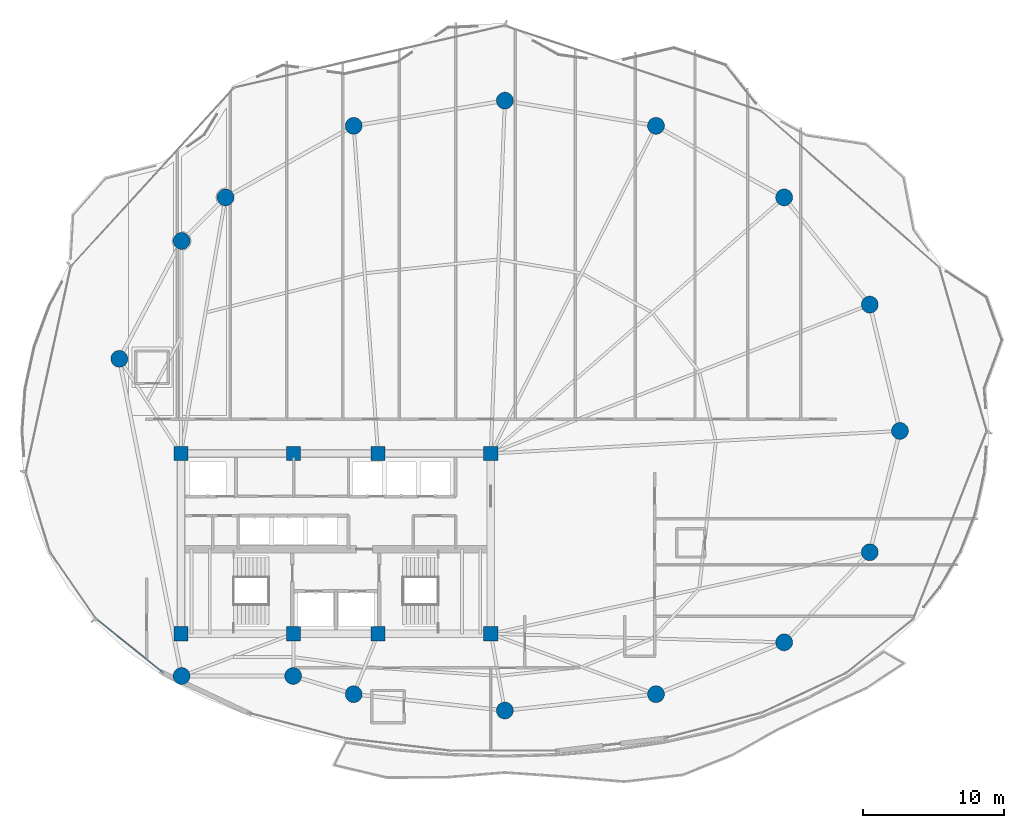
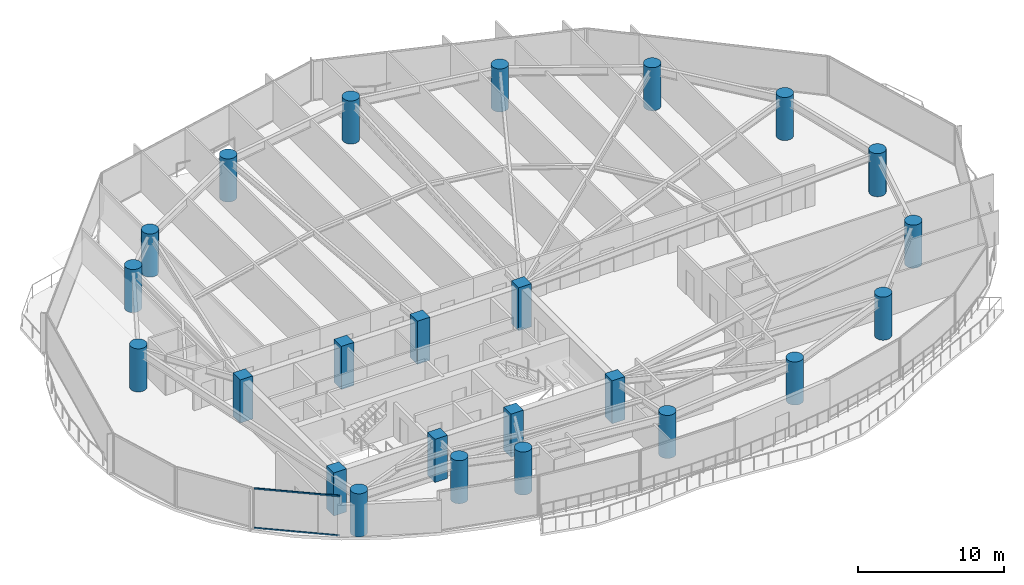
# One storey, part 1 of 34: 24 columns, 2 members, 1 element without a shape of its own.
"""IFC4 building model written with IfcOpenShell, lengths in metres."""

from ifc_helpers import new_model, si_unit, direction, frame, origin, origin_2d, place, context, subcontext, project, spatial, rectangle, hollow_rectangle, circle, extrude, material, layer, layer_set, material_profile, profile_set, type_object, element, aggregate, save


model = new_model("IFC4")

# Units and contexts
model_context = context("Model", 3, precision=1e-05, world=origin(), true_north=direction((0.0, 1.0)))
body_context = subcontext(model_context, "Body", "Model", "MODEL_VIEW")
ifc_project = project(units=[si_unit("LENGTHUNIT", "METRE"), si_unit("AREAUNIT", "SQUARE_METRE"), si_unit("VOLUMEUNIT", "CUBIC_METRE"), si_unit("PLANEANGLEUNIT", "RADIAN"), si_unit("MASSUNIT", "GRAM", prefix="KILO")], contexts=[model_context])

# Site, building, storey
site_placement = place(None, origin())
site = spatial("IfcSite", under=ifc_project, at=site_placement, CompositionType="ELEMENT")
building_placement = place(site_placement, origin())
building = spatial("IfcBuilding", under=site, at=building_placement, Name="Kazevale Care Tower and Concert Hall", CompositionType="ELEMENT")
storey_placement = place(building_placement, frame((0.0, 0.0, 167.39990234375)))
storey = spatial("IfcBuildingStorey", under=building, at=storey_placement, Name="L44", CompositionType="ELEMENT", Elevation=167.39990234375)

# Columns
ifc_material_1 = material(Name="Concrete C60", Category="concrete")
ifc_material_profile_1 = material_profile(ifc_material_1, rectangle(XDim=1.0, YDim=1.0, at=origin_2d()), Name="RC-SQ1000")
ifc_profile_set_1 = profile_set([ifc_material_profile_1], Name="Concrete C60")
column_type_1 = type_object("IfcColumnType", Name="Core Column SQ1000 C60", PredefinedType="COLUMN", material=ifc_profile_set_1)
for number, where, z_axis, x_axis, name in (
    (1, (22.0, 23.60009765625, 0.0), (0.0, 0.0, 1.0), (1.0, 0.0, 0.0), "col:L44:CC-01"),
    (2, (30.0, 23.60009765625, 0.0), (0.0, 0.0, 1.0), (1.0, 0.0, 0.0), "col:L44:CC-02"),
    (3, (36.0, 23.60009765625, 0.0), (0.0, 0.0, 1.0), (1.0, 0.0, 0.0), "col:L44:CC-03"),
    (4, (44.0, 23.60009765625, 0.0), (0.0, 0.0, 1.0), (1.0, 0.0, 0.0), "col:L44:CC-04"),
    (5, (44.0, 36.39990234375, 0.0), (0.0, 0.0, 1.0), (1.0, 0.0, 0.0), "col:L44:CC-05"),
    (6, (36.0, 36.39990234375, 0.0), (0.0, 0.0, 1.0), (1.0, 0.0, 0.0), "col:L44:CC-06"),
    (7, (30.0, 36.39990234375, 0.0), (0.0, 0.0, 1.0), (1.0, 0.0, 0.0), "col:L44:CC-07"),
    (8, (22.0, 36.39990234375, 0.0), (0.0, 0.0, 1.0), (1.0, 0.0, 0.0), "col:L44:CC-08"),
):
    element("IfcColumn", number, at=place(storey_placement, frame(where, z_axis=z_axis, x_axis=x_axis)), inside=storey, type_object=column_type_1, Name=name, PredefinedType="COLUMN", context=body_context, shape_type="SweptSolid", body=[
        extrude(rectangle(XDim=1.0, YDim=1.0, at=origin_2d()), origin(), (0.0, 0.0, 1.0), 3.60009765625),
    ])
ifc_material_profile_2 = material_profile(ifc_material_1, circle(Radius=0.60009765625, at=origin_2d()), Name="RC-CIR1200")
ifc_profile_set_2 = profile_set([ifc_material_profile_2], Name="Concrete C60")
column_type_2 = type_object("IfcColumnType", Name="Perimeter Column CIR1200 C60", PredefinedType="COLUMN", material=ifc_profile_set_2)
for number, where, z_axis, x_axis, name in (
    (9, (73.050048828125, 38.0, 0.0), (0.0, 0.0, 1.0), (1.0, 0.0, 0.0), "col:L44:PC-01"),
    (10, (70.909912109375, 46.969970703125, 0.0), (0.0, 0.0, 1.0), (1.0, 0.0, 0.0), "col:L44:PC-02"),
    (11, (64.830078125, 54.580078125, 0.0), (0.0, 0.0, 1.0), (1.0, 0.0, 0.0), "col:L44:PC-03"),
    (12, (55.72998046875, 59.659912109375, 0.0), (0.0, 0.0, 1.0), (1.0, 0.0, 0.0), "col:L44:PC-04"),
    (13, (45.0, 61.449951171875, 0.0), (0.0, 0.0, 1.0), (1.0, 0.0, 0.0), "col:L44:PC-05"),
    (14, (34.27001953125, 59.659912109375, 0.0), (0.0, 0.0, 1.0), (1.0, 0.0, 0.0), "col:L44:PC-06"),
    (15, (25.169921875, 54.580078125, 0.0), (0.0, 0.0, 1.0), (1.0, 0.0, 0.0), "col:L44:PC-07"),
    (16, (22.050048828125, 51.489990234375, 0.0), (0.0, 0.0, 1.0), (1.0, 0.0, 0.0), "col:L44:PC-08"),
    (17, (17.6298828125, 43.1201171875, 0.0), (0.0, 0.0, 1.0), (1.0, 0.0, 0.0), "col:L44:PC-09"),
    (18, (22.050048828125, 20.60009765625, 0.0), (0.0, 0.0, 1.0), (1.0, 0.0, 0.0), "col:L44:PC-10"),
    (19, (29.969970703125, 20.60009765625, 0.0), (0.0, 0.0, 1.0), (1.0, 0.0, 0.0), "col:L44:PC-11"),
    (20, (34.27001953125, 19.31005859375, 0.0), (0.0, 0.0, 1.0), (1.0, 0.0, 0.0), "col:L44:PC-12"),
    (21, (45.0, 18.14990234375, 0.0), (0.0, 0.0, 1.0), (1.0, 0.0, 0.0), "col:L44:PC-13"),
    (22, (55.72998046875, 19.31005859375, 0.0), (0.0, 0.0, 1.0), (1.0, 0.0, 0.0), "col:L44:PC-14"),
    (23, (64.830078125, 22.989990234375, 0.0), (0.0, 0.0, 1.0), (1.0, 0.0, 0.0), "col:L44:PC-15"),
    (24, (70.909912109375, 29.389892578125, 0.0), (0.0, 0.0, 1.0), (1.0, 0.0, 0.0), "col:L44:PC-16"),
):
    element("IfcColumn", number, at=place(storey_placement, frame(where, z_axis=z_axis, x_axis=x_axis)), inside=storey, type_object=column_type_2, Name=name, PredefinedType="COLUMN", context=body_context, shape_type="SweptSolid", body=[
        extrude(circle(Radius=0.60009765625, at=origin_2d()), origin(), (0.0, 0.0, 1.0), 3.60009765625),
    ])

# Curtain wall, members
ifc_material_2 = material(Name="Aluminium 6063-T6 and Low-E Glass", Category="aluminium")
ifc_layer = layer(ifc_material_2, 0.179931640625)
ifc_layer_set = layer_set([ifc_layer], Name="Aluminium 6063-T6 and Low-E Glass")
curtain_wall_type = type_object("IfcCurtainWallType", Name="Sheltered Concave Balcony Curtain Wall CW-5", PredefinedType="NOTDEFINED", material=ifc_layer_set)
curtain_wall_placement = place(storey_placement, origin())
curtain_wall = element("IfcCurtainWall", 25, at=curtain_wall_placement, inside=storey, type_object=curtain_wall_type, Name="cw:L44:f10", PredefinedType="NOTDEFINED")
ifc_material_3 = material(Name="Aluminium 6063-T6", Category="aluminium")
ifc_material_profile_3 = material_profile(ifc_material_3, hollow_rectangle(XDim=0.074951171875, YDim=0.1201171875, WallThickness=0.00390625, at=origin_2d()), Name="ALU75x120x4")
ifc_profile_set_3 = profile_set([ifc_material_profile_3], Name="Aluminium 6063-T6")
member_type = type_object("IfcMemberType", Name="CW-5 Transom ALU75x120x4", PredefinedType="USERDEFINED", material=ifc_profile_set_3)
member_1_placement = place(storey_placement, frame((20.711669921875, 20.85009765625, 0.03759765625), z_axis=(-0.779097461373, 0.626902819966, 0.0), x_axis=(-0.626902819966, -0.779097461373, 0.0)))
member_1 = element("IfcMember", 26, at=member_1_placement, type_object=member_type, Name="CW-5 transom 1.1", ObjectType="TRANSOM", PredefinedType="USERDEFINED", context=body_context, shape_type="SweptSolid", body=[
    extrude(hollow_rectangle(XDim=0.074951171875, YDim=0.1201171875, WallThickness=0.00390625, at=origin_2d()), origin(), (0.0, 0.0, 1.0), 5.96728515625),
])
member_2_placement = place(storey_placement, frame((20.711669921875, 20.85009765625, 3.322509765625), z_axis=(-0.779097461373, 0.626902819966, 0.0), x_axis=(-0.626902819966, -0.779097461373, 0.0)))
member_2 = element("IfcMember", 27, at=member_2_placement, type_object=member_type, Name="CW-5 transom 1.2", ObjectType="TRANSOM", PredefinedType="USERDEFINED", context=body_context, shape_type="SweptSolid", body=[
    extrude(hollow_rectangle(XDim=0.074951171875, YDim=0.1201171875, WallThickness=0.00390625, at=origin_2d()), origin(), (0.0, 0.0, 1.0), 5.96728515625),
])
aggregate(curtain_wall, [member_1, member_2])

save(model, "model.ifc")
